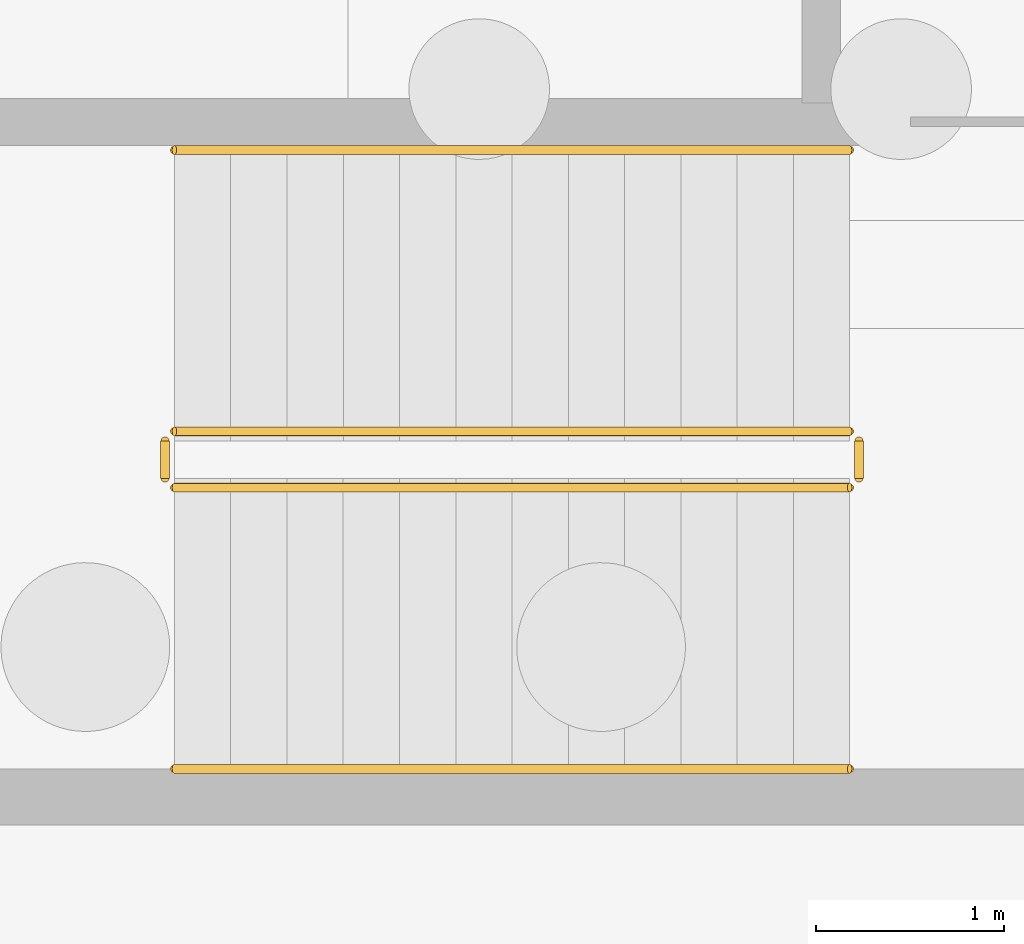
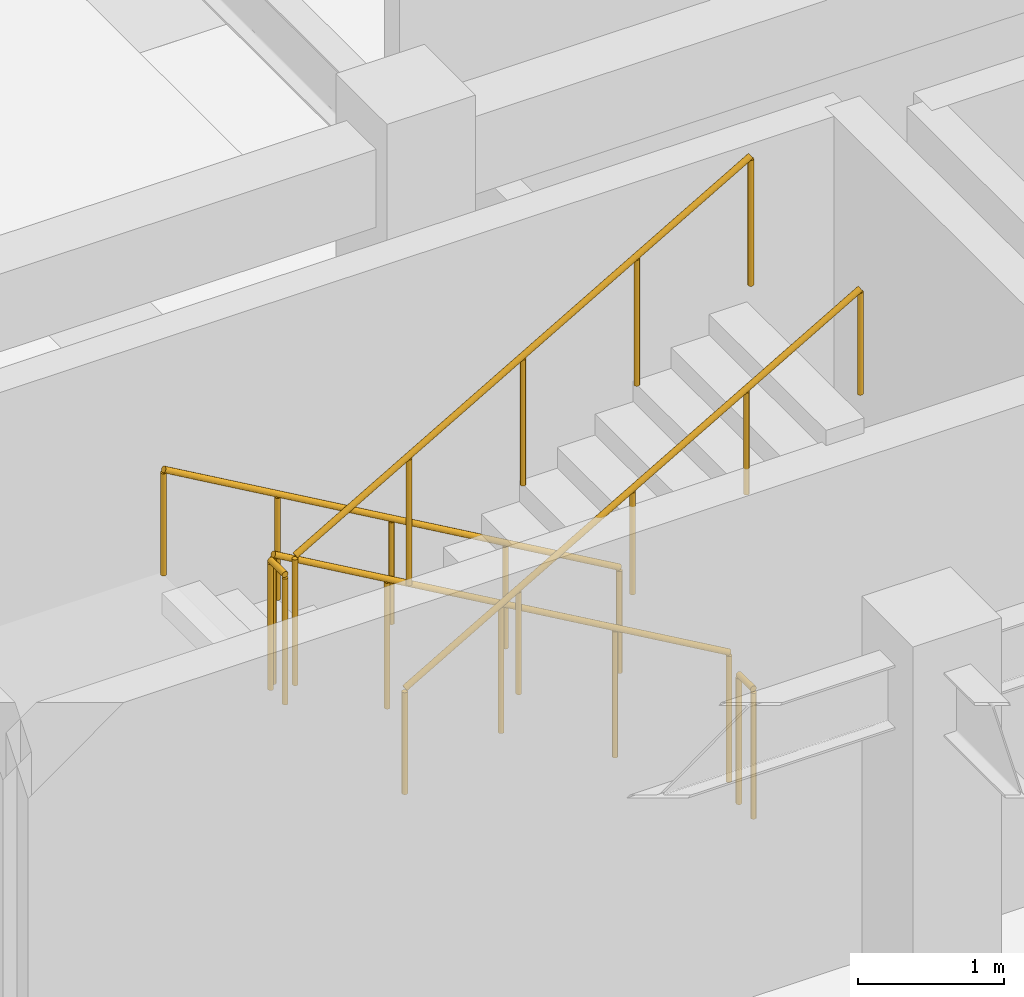
# One storey, part 46 of 48: 6 railings.
"""IFC4 building model written with IfcOpenShell, lengths in metres."""

from ifc_helpers import new_model, si_unit, direction, frame, origin, origin_2d, place, context, subcontext, project, spatial, circle, extrude, material, layer, layer_set, type_object, element, save


model = new_model("IFC4")

# Units and contexts
model_context = context("Model", 3, precision=1e-05, world=origin(), true_north=direction((0.0, 1.0)))
body_context = subcontext(model_context, "Body", "Model", "MODEL_VIEW")
ifc_project = project(units=[si_unit("LENGTHUNIT", "METRE"), si_unit("AREAUNIT", "SQUARE_METRE"), si_unit("VOLUMEUNIT", "CUBIC_METRE"), si_unit("PLANEANGLEUNIT", "RADIAN"), si_unit("MASSUNIT", "GRAM", prefix="KILO")], contexts=[model_context])

# Site, building, storey
site_placement = place(None, origin())
site = spatial("IfcSite", under=ifc_project, at=site_placement, CompositionType="ELEMENT")
building_placement = place(site_placement, origin())
building = spatial("IfcBuilding", under=site, at=building_placement, Name="Carrowvane Square Congress Hotel", CompositionType="ELEMENT")
storey_placement = place(building_placement, frame((0.0, 0.0, -4.5)))
storey = spatial("IfcBuildingStorey", under=building, at=storey_placement, Name="B01", CompositionType="ELEMENT", Elevation=-4.5)

# Railings
ifc_material_1 = material(Name="Stainless steel 316", Category="steel")
ifc_layer_1 = layer(ifc_material_1, 0.048095703125)
ifc_layer_set_1 = layer_set([ifc_layer_1], Name="Stainless steel 316")
railing_type_1 = type_object("IfcRailingType", Name="RLG-HR-900", PredefinedType="HANDRAIL", material=ifc_layer_set_1)
railing_1_placement = place(storey_placement, frame((170.85009765625, 61.550048828125, 0.173095703125)))
element("IfcRailing", 1, at=railing_1_placement, inside=storey, type_object=railing_type_1, Name="B01 ST4 stair handrail 1", PredefinedType="HANDRAIL", context=body_context, shape_type="SweptSolid", body=[
    extrude(circle(Radius=0.02392578125, at=origin_2d()), frame((0.0, 0.0, 0.8759765625), z_axis=(-0.866193409371, 0.0, 0.499708892819), x_axis=(0.0, -1.0, 0.0)), (0.0, 0.0, 1.0), 4.15625),
    extrude(circle(Radius=0.02099609375, at=origin_2d()), origin(), (0.0, 0.0, 1.0), 0.851806640625),
    extrude(circle(Radius=0.02099609375, at=origin_2d()), frame((-0.89990234375, 0.0, 0.519287109375)), (0.0, 0.0, 1.0), 0.851806640625),
    extrude(circle(Radius=0.02099609375, at=origin_2d()), frame((-1.800048828125, 0.0, 1.03857421875)), (0.0, 0.0, 1.0), 0.851806640625),
    extrude(circle(Radius=0.02099609375, at=origin_2d()), frame((-2.7001953125, 0.0, 1.5576171875)), (0.0, 0.0, 1.0), 0.851806640625),
    extrude(circle(Radius=0.02099609375, at=origin_2d()), frame((-3.60009765625, 0.0, 2.076904296875)), (0.0, 0.0, 1.0), 0.851806640625),
])
railing_2_placement = place(storey_placement, frame((167.25, 58.25, 2.423095703125)))
element("IfcRailing", 2, at=railing_2_placement, inside=storey, type_object=railing_type_1, Name="B01 ST4 stair handrail 2", PredefinedType="HANDRAIL", context=body_context, shape_type="SweptSolid", body=[
    extrude(circle(Radius=0.02392578125, at=origin_2d()), frame((0.0, 0.0, 0.8759765625), z_axis=(0.866193409371, 0.0, 0.499708892819), x_axis=(0.0, 1.0, 0.0)), (0.0, 0.0, 1.0), 4.15625),
    extrude(circle(Radius=0.02099609375, at=origin_2d()), origin(), (0.0, 0.0, 1.0), 0.851806640625),
    extrude(circle(Radius=0.02099609375, at=origin_2d()), frame((0.89990234375, 0.0, 0.519287109375)), (0.0, 0.0, 1.0), 0.851806640625),
    extrude(circle(Radius=0.02099609375, at=origin_2d()), frame((1.800048828125, 0.0, 1.03857421875)), (0.0, 0.0, 1.0), 0.851806640625),
    extrude(circle(Radius=0.02099609375, at=origin_2d()), frame((2.7001953125, 0.0, 1.5576171875)), (0.0, 0.0, 1.0), 0.851806640625),
    extrude(circle(Radius=0.02099609375, at=origin_2d()), frame((3.60009765625, 0.0, 2.076904296875)), (0.0, 0.0, 1.0), 0.851806640625),
])
ifc_material_2 = material(Name="Galvanised steel", Category="steel")
ifc_layer_2 = layer(ifc_material_2, 0.048095703125)
ifc_layer_set_2 = layer_set([ifc_layer_2], Name="Galvanised steel")
railing_type_2 = type_object("IfcRailingType", Name="RLG-STG-1100", PredefinedType="GUARDRAIL", material=ifc_layer_set_2)
railing_3_placement = place(storey_placement, frame((170.85009765625, 60.050048828125, 0.173095703125)))
element("IfcRailing", 3, at=railing_3_placement, inside=storey, type_object=railing_type_2, Name="B01 ST4 stair guard 1", PredefinedType="GUARDRAIL", context=body_context, shape_type="SweptSolid", body=[
    extrude(circle(Radius=0.02392578125, at=origin_2d()), frame((0.0, 0.0, 1.076171875), z_axis=(-0.866193409371, 0.0, 0.499708892819), x_axis=(0.0, -1.0, 0.0)), (0.0, 0.0, 1.0), 4.15625),
    extrude(circle(Radius=0.02099609375, at=origin_2d()), origin(), (0.0, 0.0, 1.0), 1.052001953125),
    extrude(circle(Radius=0.02099609375, at=origin_2d()), frame((-0.89990234375, 0.0, 0.519287109375)), (0.0, 0.0, 1.0), 1.052001953125),
    extrude(circle(Radius=0.02099609375, at=origin_2d()), frame((-1.800048828125, 0.0, 1.03857421875)), (0.0, 0.0, 1.0), 1.052001953125),
    extrude(circle(Radius=0.02099609375, at=origin_2d()), frame((-2.7001953125, 0.0, 1.5576171875)), (0.0, 0.0, 1.0), 1.052001953125),
    extrude(circle(Radius=0.02099609375, at=origin_2d()), frame((-3.60009765625, 0.0, 2.076904296875)), (0.0, 0.0, 1.0), 1.052001953125),
])
railing_4_placement = place(storey_placement, frame((167.199951171875, 60.0, 2.25)))
element("IfcRailing", 4, at=railing_4_placement, inside=storey, type_object=railing_type_2, Name="B01 ST4 stair guard 2", PredefinedType="GUARDRAIL", context=body_context, shape_type="SweptSolid", body=[
    extrude(circle(Radius=0.02392578125, at=origin_2d()), frame((0.0, 0.0, 1.076171875), z_axis=(0.0, -1.0, 0.0), x_axis=(1.0, 0.0, 0.0)), (0.0, 0.0, 1.0), 0.199951171875),
    extrude(circle(Radius=0.02099609375, at=origin_2d()), origin(), (0.0, 0.0, 1.0), 1.052001953125),
    extrude(circle(Radius=0.02099609375, at=origin_2d()), frame((0.0, -0.199951171875, 0.0)), (0.0, 0.0, 1.0), 1.052001953125),
])
railing_5_placement = place(storey_placement, frame((167.25, 59.75, 2.423095703125)))
element("IfcRailing", 5, at=railing_5_placement, inside=storey, type_object=railing_type_2, Name="B01 ST4 stair guard 3", PredefinedType="GUARDRAIL", context=body_context, shape_type="SweptSolid", body=[
    extrude(circle(Radius=0.02392578125, at=origin_2d()), frame((0.0, 0.0, 1.076171875), z_axis=(0.866193409371, 0.0, 0.499708892819), x_axis=(0.0, 1.0, 0.0)), (0.0, 0.0, 1.0), 4.15625),
    extrude(circle(Radius=0.02099609375, at=origin_2d()), origin(), (0.0, 0.0, 1.0), 1.052001953125),
    extrude(circle(Radius=0.02099609375, at=origin_2d()), frame((0.89990234375, 0.0, 0.519287109375)), (0.0, 0.0, 1.0), 1.052001953125),
    extrude(circle(Radius=0.02099609375, at=origin_2d()), frame((1.800048828125, 0.0, 1.03857421875)), (0.0, 0.0, 1.0), 1.052001953125),
    extrude(circle(Radius=0.02099609375, at=origin_2d()), frame((2.7001953125, 0.0, 1.5576171875)), (0.0, 0.0, 1.0), 1.052001953125),
    extrude(circle(Radius=0.02099609375, at=origin_2d()), frame((3.60009765625, 0.0, 2.076904296875)), (0.0, 0.0, 1.0), 1.052001953125),
])
railing_6_placement = place(storey_placement, frame((170.89990234375, 60.0, 0.0)))
element("IfcRailing", 6, at=railing_6_placement, inside=storey, type_object=railing_type_2, Name="B01 ST4 stair guard 4", PredefinedType="GUARDRAIL", context=body_context, shape_type="SweptSolid", body=[
    extrude(circle(Radius=0.02392578125, at=origin_2d()), frame((0.0, 0.0, 1.076171875), z_axis=(0.0, -1.0, 0.0), x_axis=(1.0, 0.0, 0.0)), (0.0, 0.0, 1.0), 0.199951171875),
    extrude(circle(Radius=0.02099609375, at=origin_2d()), origin(), (0.0, 0.0, 1.0), 1.052001953125),
    extrude(circle(Radius=0.02099609375, at=origin_2d()), frame((0.0, -0.199951171875, 0.0)), (0.0, 0.0, 1.0), 1.052001953125),
])

save(model, "model.ifc")
